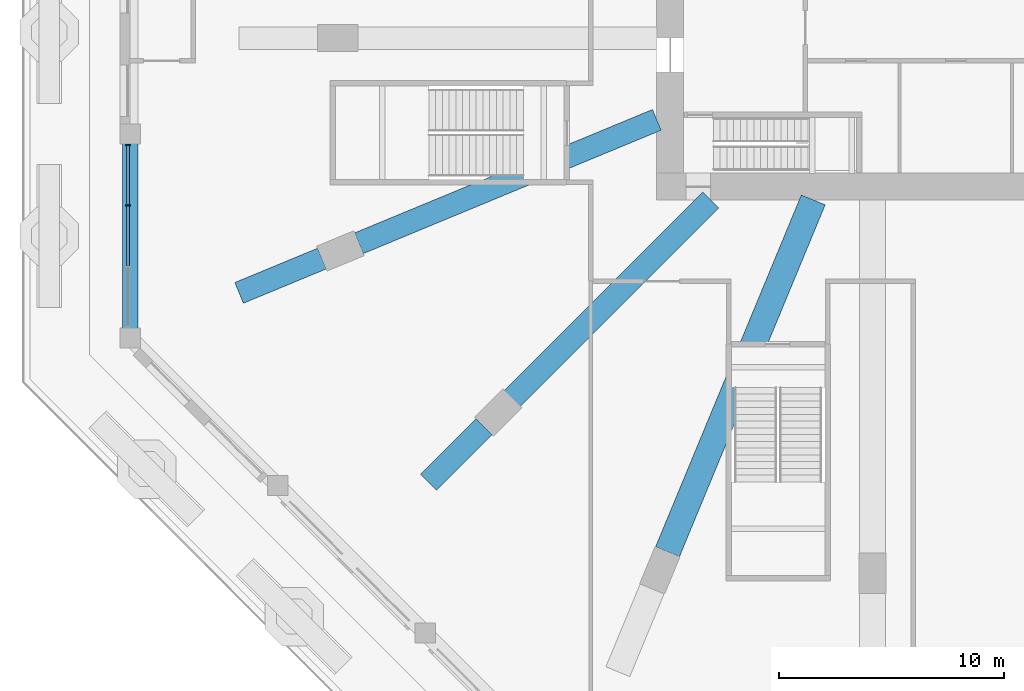
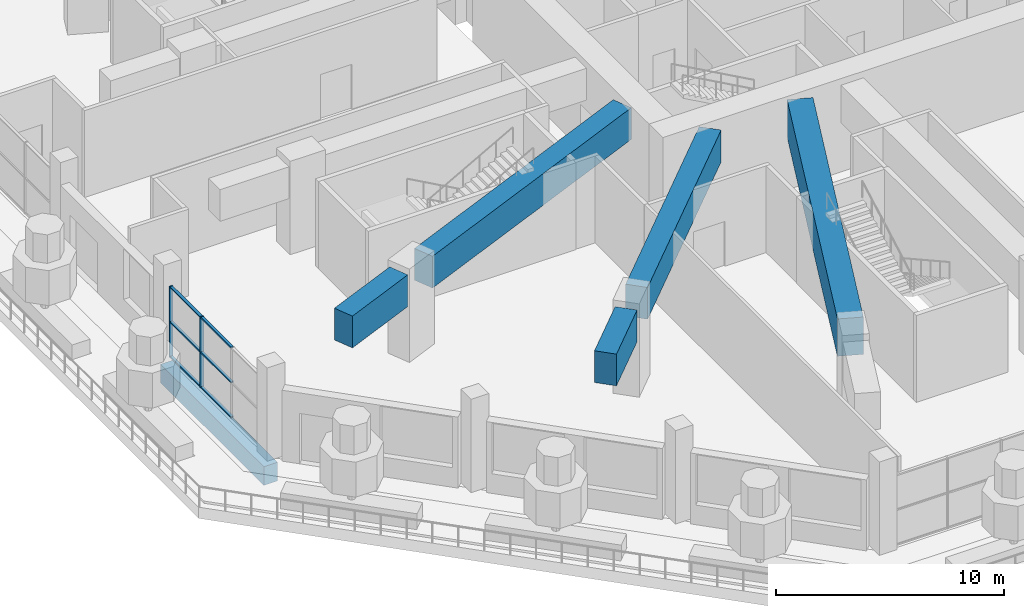
# One storey, part 3 of 25: 8 members, 6 beams, 1 element without a shape of its own.
"""IFC4 building model written with IfcOpenShell, lengths in metres."""

from ifc_helpers import new_model, si_unit, direction, frame, origin, origin_2d, place, context, subcontext, project, spatial, rectangle, extrude, material, material_profile, profile_set, type_object, element, aggregate, save


model = new_model("IFC4")

# Units and contexts
model_context = context("Model", 3, precision=1e-05, world=origin(), true_north=direction((0.0, 1.0)))
body_context = subcontext(model_context, "Body", "Model", "MODEL_VIEW")
ifc_project = project(units=[si_unit("LENGTHUNIT", "METRE"), si_unit("AREAUNIT", "SQUARE_METRE"), si_unit("VOLUMEUNIT", "CUBIC_METRE"), si_unit("PLANEANGLEUNIT", "RADIAN"), si_unit("MASSUNIT", "GRAM", prefix="KILO")], contexts=[model_context])

# Site, building, storey
site_placement = place(None, origin())
site = spatial("IfcSite", under=ifc_project, at=site_placement, CompositionType="ELEMENT")
building_placement = place(site_placement, origin())
building = spatial("IfcBuilding", under=site, at=building_placement, Name="Msitu Wima Residences", CompositionType="ELEMENT")
storey_placement = place(building_placement, frame((0.0, 0.0, 11.0)))
storey = spatial("IfcBuildingStorey", under=building, at=storey_placement, Name="L02", CompositionType="ELEMENT", Elevation=11.0)

# Curtain wall, members
ifc_material_1 = material(Name="Anodised aluminium, bronze finish, clear low-emissivity double glazing", Category="aluminium")
curtain_wall_type = type_object("IfcCurtainWallType", Name="Curtain wall CW6 podium winter garden", PredefinedType="NOTDEFINED", material=ifc_material_1)
curtain_wall_placement = place(storey_placement, origin())
curtain_wall = element("IfcCurtainWall", 1, at=curtain_wall_placement, inside=storey, type_object=curtain_wall_type, Name="Curtain wall CW6 L02 W3", PredefinedType="NOTDEFINED")
ifc_material_2 = material(Name="Anodised aluminium, bronze finish", Category="aluminium")
ifc_material_profile_1 = material_profile(ifc_material_2, rectangle(XDim=0.179931640625, YDim=0.06494140625, at=origin_2d()), Name="Mullion 65x180")
ifc_profile_set_1 = profile_set([ifc_material_profile_1], Name="Anodised aluminium, bronze finish")
member_type_1 = type_object("IfcMemberType", Name="Mullion CW6 65x180", PredefinedType="MULLION", material=ifc_profile_set_1)
member_1_placement = place(storey_placement, frame((-37.89990234375, -9.54638671875, 0.0), z_axis=(0.0, 0.0, 1.0), x_axis=(1.0, 0.0, 0.0)))
member_1 = element("IfcMember", 2, at=member_1_placement, type_object=member_type_1, Name="CW6 mullion 1", PredefinedType="MULLION", context=body_context, shape_type="SweptSolid", body=[
    extrude(rectangle(XDim=0.179931640625, YDim=0.06494140625, at=origin_2d()), origin(), (0.0, 0.0, 1.0), 3.800048828125),
])
member_2_placement = place(storey_placement, frame((-37.89990234375, -12.2353515625, 0.0), z_axis=(0.0, 0.0, 1.0), x_axis=(1.0, 0.0, 0.0)))
member_2 = element("IfcMember", 3, at=member_2_placement, type_object=member_type_1, Name="CW6 mullion 2", PredefinedType="MULLION", context=body_context, shape_type="SweptSolid", body=[
    extrude(rectangle(XDim=0.179931640625, YDim=0.06494140625, at=origin_2d()), origin(), (0.0, 0.0, 1.0), 3.800048828125),
])

# Beams
ifc_material_3 = material(Name="Concrete C60/75", Category="concrete")
ifc_material_profile_2 = material_profile(ifc_material_3, rectangle(XDim=1.0, YDim=1.699951171875, at=origin_2d()), Name="RC 1000x1700")
ifc_profile_set_2 = profile_set([ifc_material_profile_2], Name="Concrete C60/75")
beam_type_1 = type_object("IfcBeamType", Name="Podium cantilever girder RC 1000x1700 Concrete C60/75", PredefinedType="BEAM", material=ifc_profile_set_2)
beam_1_placement = place(storey_placement, frame((-14.388916015625, -8.4306640625, 3.800048828125), z_axis=(-0.923876521867, -0.382690700621, 0.0), x_axis=(0.382690700621, -0.923876521867, 0.0)))
element("IfcBeam", 4, at=beam_1_placement, inside=storey, type_object=beam_type_1, Name="Podium cantilever girder L03 C-SW0 back-span", PredefinedType="BEAM", context=body_context, shape_type="SweptSolid", body=[
    extrude(rectangle(XDim=1.0, YDim=1.699951171875, at=origin_2d()), origin(), (0.0, 0.0, 1.0), 14.336181640625),
])
beam_2_placement = place(storey_placement, frame((-11.991455078125, -11.991455078125, 3.800048828125), z_axis=(-0.707106781187, -0.707106781187, 0.0), x_axis=(0.707106781187, -0.707106781187, 0.0)))
element("IfcBeam", 5, at=beam_2_placement, inside=storey, type_object=beam_type_1, Name="Podium cantilever girder L03 C-SW1 back-span", PredefinedType="BEAM", context=body_context, shape_type="SweptSolid", body=[
    extrude(rectangle(XDim=1.0, YDim=1.699951171875, at=origin_2d()), origin(), (0.0, 0.0, 1.0), 12.4755859375),
])
ifc_material_profile_3 = material_profile(ifc_material_3, rectangle(XDim=1.14990234375, YDim=2.0, at=origin_2d()), Name="RC 1150x2000")
ifc_profile_set_3 = profile_set([ifc_material_profile_3], Name="Concrete C60/75")
beam_type_2 = type_object("IfcBeamType", Name="Podium cantilever girder RC 1150x2000 Concrete C60/75", PredefinedType="BEAM", material=ifc_profile_set_3)
beam_3_placement = place(storey_placement, frame((-7.4365234375, -11.989013671875, 3.64990234375), z_axis=(-0.382693039712, -0.92387555296, 0.0), x_axis=(0.92387555296, -0.382693039712, 0.0)))
element("IfcBeam", 6, at=beam_3_placement, inside=storey, type_object=beam_type_2, Name="Podium cantilever girder L03 C-S0 back-span", PredefinedType="BEAM", context=body_context, shape_type="SweptSolid", body=[
    extrude(rectangle(XDim=1.14990234375, YDim=2.0, at=origin_2d()), origin(), (0.0, 0.0, 1.0), 16.933837890625),
])
ifc_material_profile_4 = material_profile(ifc_material_3, rectangle(XDim=1.0, YDim=1.699951171875, at=origin_2d()), Name="RC 1000x1700")
ifc_profile_set_4 = profile_set([ifc_material_profile_4], Name="Concrete C60/75")
beam_type_3 = type_object("IfcBeamType", Name="Podium cantilever girder tip RC 1000x1700 Concrete C60/75", PredefinedType="BEAM", material=ifc_profile_set_4)
beam_4_placement = place(storey_placement, frame((-29.274658203125, -14.5966796875, 3.800048828125), z_axis=(-0.923893047528, -0.382650802599, 0.0), x_axis=(0.382650802599, -0.923893047528, 0.0)))
element("IfcBeam", 7, at=beam_4_placement, inside=storey, type_object=beam_type_3, Name="Podium cantilever girder L03 C-SW0 cantilever", PredefinedType="BEAM", context=body_context, shape_type="SweptSolid", body=[
    extrude(rectangle(XDim=1.0, YDim=1.699951171875, at=origin_2d()), origin(), (0.0, 0.0, 1.0), 3.990234375),
])
beam_5_placement = place(storey_placement, frame((-22.06884765625, -22.06884765625, 3.800048828125), z_axis=(-0.707106781187, -0.707106781187, 0.0), x_axis=(0.707106781187, -0.707106781187, 0.0)))
element("IfcBeam", 8, at=beam_5_placement, inside=storey, type_object=beam_type_3, Name="Podium cantilever girder L03 C-SW1 cantilever", PredefinedType="BEAM", context=body_context, shape_type="SweptSolid", body=[
    extrude(rectangle(XDim=1.0, YDim=1.699951171875, at=origin_2d()), origin(), (0.0, 0.0, 1.0), 3.4990234375),
])
ifc_material_profile_5 = material_profile(ifc_material_3, rectangle(XDim=0.699951171875, YDim=1.0, at=origin_2d()), Name="RC 700x1000")
ifc_profile_set_5 = profile_set([ifc_material_profile_5], Name="Concrete C60/75")
beam_type_4 = type_object("IfcBeamType", Name="Terrace beam RC 700x1000 Concrete C60/75", PredefinedType="BEAM", material=ifc_profile_set_5)
beam_6_placement = place(storey_placement, frame((-37.800048828125, -9.06396484375, -1.10009765625), z_axis=(0.0, -1.0, 0.0), x_axis=(1.0, 0.0, 0.0)))
element("IfcBeam", 9, at=beam_6_placement, inside=storey, type_object=beam_type_4, Name="Terrace upstand-line beam L02 C-W3", PredefinedType="BEAM", context=body_context, shape_type="SweptSolid", body=[
    extrude(rectangle(XDim=0.699951171875, YDim=1.0, at=origin_2d()), origin(), (0.0, 0.0, 1.0), 9.06396484375),
])

# Member
ifc_material_profile_6 = material_profile(ifc_material_2, rectangle(XDim=0.139892578125, YDim=0.06494140625, at=origin_2d()), Name="Transom 65x140")
ifc_profile_set_6 = profile_set([ifc_material_profile_6], Name="Anodised aluminium, bronze finish")
member_type_2 = type_object("IfcMemberType", Name="Transom CW6 65x140", PredefinedType="USERDEFINED", material=ifc_profile_set_6)
member_3_placement = place(storey_placement, frame((-37.89990234375, -9.578857421875, 0.032470703125), z_axis=(0.0, -1.0, 0.0), x_axis=(1.0, 0.0, 0.0)))
member_3 = element("IfcMember", 10, at=member_3_placement, type_object=member_type_2, Name="CW6 transom 1.1", ObjectType="TRANSOM", PredefinedType="USERDEFINED", context=body_context, shape_type="SweptSolid", body=[
    extrude(rectangle(XDim=0.139892578125, YDim=0.06494140625, at=origin_2d()), origin(), (0.0, 0.0, 1.0), 2.6240234375),
])

member_4_placement = place(storey_placement, frame((-37.89990234375, -9.578857421875, 1.89990234375), z_axis=(0.0, -1.0, 0.0), x_axis=(1.0, 0.0, 0.0)))
member_4 = element("IfcMember", 11, at=member_4_placement, type_object=member_type_2, Name="CW6 transom 1.2", ObjectType="TRANSOM", PredefinedType="USERDEFINED", context=body_context, shape_type="SweptSolid", body=[
    extrude(rectangle(XDim=0.139892578125, YDim=0.06494140625, at=origin_2d()), origin(), (0.0, 0.0, 1.0), 2.6240234375),
])

member_5_placement = place(storey_placement, frame((-37.89990234375, -9.578857421875, 3.767578125), z_axis=(0.0, -1.0, 0.0), x_axis=(1.0, 0.0, 0.0)))
member_5 = element("IfcMember", 12, at=member_5_placement, type_object=member_type_2, Name="CW6 transom 1.3", ObjectType="TRANSOM", PredefinedType="USERDEFINED", context=body_context, shape_type="SweptSolid", body=[
    extrude(rectangle(XDim=0.139892578125, YDim=0.06494140625, at=origin_2d()), origin(), (0.0, 0.0, 1.0), 2.6240234375),
])

member_6_placement = place(storey_placement, frame((-37.89990234375, -12.267822265625, 0.032470703125), z_axis=(0.0, -1.0, 0.0), x_axis=(1.0, 0.0, 0.0)))
member_6 = element("IfcMember", 13, at=member_6_placement, type_object=member_type_2, Name="CW6 transom 2.1", ObjectType="TRANSOM", PredefinedType="USERDEFINED", context=body_context, shape_type="SweptSolid", body=[
    extrude(rectangle(XDim=0.139892578125, YDim=0.06494140625, at=origin_2d()), origin(), (0.0, 0.0, 1.0), 2.65625),
])

member_7_placement = place(storey_placement, frame((-37.89990234375, -12.267822265625, 1.89990234375), z_axis=(0.0, -1.0, 0.0), x_axis=(1.0, 0.0, 0.0)))
member_7 = element("IfcMember", 14, at=member_7_placement, type_object=member_type_2, Name="CW6 transom 2.2", ObjectType="TRANSOM", PredefinedType="USERDEFINED", context=body_context, shape_type="SweptSolid", body=[
    extrude(rectangle(XDim=0.139892578125, YDim=0.06494140625, at=origin_2d()), origin(), (0.0, 0.0, 1.0), 2.65625),
])

member_8_placement = place(storey_placement, frame((-37.89990234375, -12.267822265625, 3.767578125), z_axis=(0.0, -1.0, 0.0), x_axis=(1.0, 0.0, 0.0)))
member_8 = element("IfcMember", 15, at=member_8_placement, type_object=member_type_2, Name="CW6 transom 2.3", ObjectType="TRANSOM", PredefinedType="USERDEFINED", context=body_context, shape_type="SweptSolid", body=[
    extrude(rectangle(XDim=0.139892578125, YDim=0.06494140625, at=origin_2d()), origin(), (0.0, 0.0, 1.0), 2.65625),
])

aggregate(curtain_wall, [member_1, member_2, member_3, member_4, member_5, member_6, member_7, member_8])

save(model, "model.ifc")
